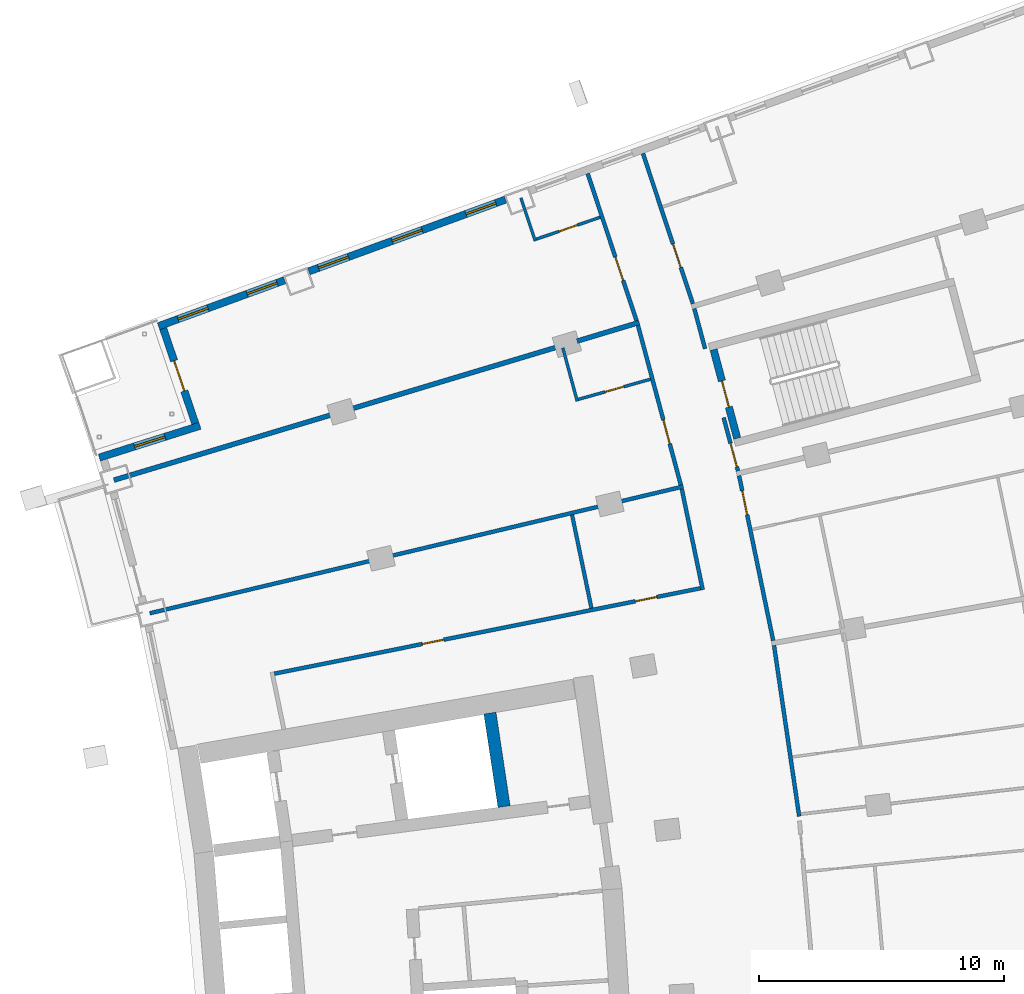
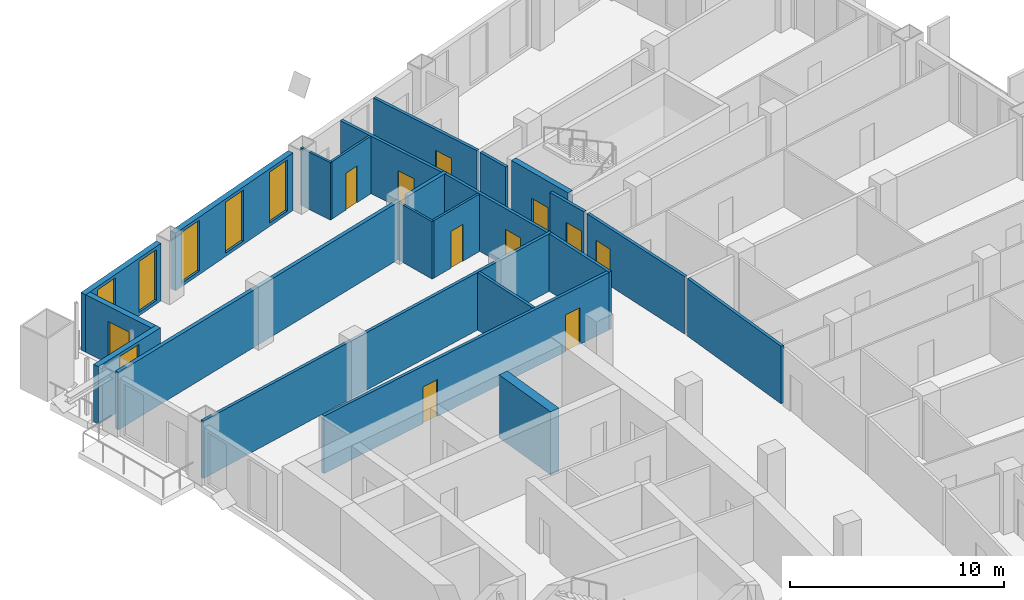
# One storey, part 19 of 25: 23 walls, 11 doors, 6 windows, 17 openings.
"""IFC4 building model written with IfcOpenShell, lengths in metres."""

from ifc_helpers import new_model, si_unit, direction, frame, frame_2d, origin, place, context, subcontext, project, spatial, rectangle, extrude, material, layer, layer_set, type_object, element, fill, save


model = new_model("IFC4")

# Units and contexts
model_context = context("Model", 3, precision=1e-05, world=origin(), true_north=direction((0.0, 1.0)))
body_context = subcontext(model_context, "Body", "Model", "MODEL_VIEW")
ifc_project = project(units=[si_unit("LENGTHUNIT", "METRE"), si_unit("AREAUNIT", "SQUARE_METRE"), si_unit("VOLUMEUNIT", "CUBIC_METRE"), si_unit("PLANEANGLEUNIT", "RADIAN"), si_unit("MASSUNIT", "GRAM", prefix="KILO")], contexts=[model_context])

# Site, building, storey
site_placement = place(None, origin())
site = spatial("IfcSite", under=ifc_project, at=site_placement, CompositionType="ELEMENT")
building_placement = place(site_placement, origin())
building = spatial("IfcBuilding", under=site, at=building_placement, Name="Alderwake Tower", CompositionType="ELEMENT")
storey_placement = place(building_placement, frame((0.0, 0.0, 89.60009765625)))
storey = spatial("IfcBuildingStorey", under=building, at=storey_placement, Name="L21", CompositionType="ELEMENT", Elevation=89.60009765625)

# Wall
ifc_material_1 = material(Name="Concrete C70/85", Category="concrete")
ifc_layer_1 = layer(ifc_material_1, 0.5)
ifc_layer_set_1 = layer_set([ifc_layer_1], Name="Core wall spine 500 C70-85")
wall_type_1 = type_object("IfcWallType", Name="Core wall spine 500 C70-85", PredefinedType="SHEAR", material=ifc_layer_set_1)
wall_1_placement = place(storey_placement, frame((28.34423828125, 75.4228515625, 0.0), z_axis=(0.0, 0.0, 1.0), x_axis=(-0.14943460482, 0.988771611082, 0.0)))
element("IfcWall", 1, at=wall_1_placement, inside=storey, type_object=wall_type_1, Name="Core wall CW.001", PredefinedType="SHEAR", context=body_context, shape_type="SweptSolid", body=[
    extrude(rectangle(XDim=3.8623046875, YDim=0.5, at=frame_2d((1.93115234375, 0.0))), origin(), (0.0, 0.0, 1.0), 3.599853515625),
])

# Wall, opening, door
ifc_material_2 = material(Name="Concrete C70/85", Category="concrete")
ifc_layer_2 = layer(ifc_material_2, 0.300048828125)
ifc_layer_set_2 = layer_set([ifc_layer_2], Name="Core wall stair enclosure 300 C70-85")
wall_type_2 = type_object("IfcWallType", Name="Core wall stair enclosure 300 C70-85", PredefinedType="SHEAR", material=ifc_layer_set_2)
wall_2_placement = place(storey_placement, frame((37.8603515625, 90.452392578125, 0.0), z_axis=(0.0, 0.0, 1.0), x_axis=(-0.257411420208, 0.966301899381, 0.0)))
wall_2 = element("IfcWall", 2, at=wall_2_placement, inside=storey, type_object=wall_type_2, Name="Core wall CW.083", PredefinedType="SHEAR", context=body_context, shape_type="SweptSolid", body=[
    extrude(rectangle(XDim=3.750244140625, YDim=0.300048828125, at=frame_2d((1.875, 0.0))), origin(), (0.0, 0.0, 1.0), 3.599853515625),
])
opening_1_placement = place(wall_2_placement, frame((1.324951171875, 0.0, 0.0)))
opening_1 = element("IfcOpeningElement", 3, at=opening_1_placement, cuts=wall_2, Name="Opening C062", PredefinedType="OPENING", context=body_context, shape_type="SweptSolid", body=[
    extrude(rectangle(XDim=1.10009765625, YDim=2.10009765625, at=frame_2d((0.550048828125, 1.050048828125))), frame((0.0, 0.159912109375, 0.0), z_axis=(0.0, -1.0, 0.0), x_axis=(1.0, 0.0, 0.0)), (0.0, 0.0, 1.0), 0.320068359375),
])
ifc_material_3 = material(Name="Steel-framed fire door leaf", Category="steel")
door_type_1 = type_object("IfcDoorType", Name="Core stair door 1100 fire-rated", OperationType="SINGLE_SWING_LEFT", PredefinedType="DOOR", material=ifc_material_3)
door_1_placement = place(opening_1_placement, origin())
door_1 = element("IfcDoor", 4, at=door_1_placement, inside=storey, type_object=door_type_1, Name="Stair door", OperationType="SINGLE_SWING_LEFT", OverallHeight=2.10009765625, OverallWidth=1.10009765625, PredefinedType="DOOR", context=body_context, shape_type="SweptSolid", body=[
    extrude(rectangle(XDim=1.10009765625, YDim=2.10009765625, at=frame_2d((0.550048828125, 1.050048828125))), frame((0.0, 0.02490234375, 0.0), z_axis=(0.0, -1.0, 0.0), x_axis=(1.0, 0.0, 0.0)), (0.0, 0.0, 1.0), 0.050048828125),
])
fill(opening_1, door_1)

# Wall
ifc_material_4 = material(Name="Gypsum board on metal studs, rated")
ifc_layer_3 = layer(ifc_material_4, 0.159912109375)
ifc_layer_set_3 = layer_set([ifc_layer_3], Name="Corridor wall 160")
wall_type_3 = type_object("IfcWallType", Name="Corridor wall 160", PredefinedType="PARTITIONING", material=ifc_layer_set_3)
wall_3_placement = place(storey_placement, frame((13.884033203125, 83.31298828125, 0.0), z_axis=(0.0, 0.0, 1.0), x_axis=(0.972893462073, 0.231253781493, 0.0)))
element("IfcWall", 5, at=wall_3_placement, inside=storey, type_object=wall_type_3, Name="WL/L21/W16", PredefinedType="PARTITIONING", context=body_context, shape_type="SweptSolid", body=[
    extrude(rectangle(XDim=22.38037109375, YDim=0.159912109375, at=frame_2d((11.190185546875, 0.0))), origin(), (0.0, 0.0, 1.0), 3.27978515625),
])

# Wall, opening, door
wall_4_placement = place(storey_placement, frame((33.75146484375, 95.2548828125, 0.0), z_axis=(0.0, 0.0, 1.0), x_axis=(-0.315406156735, 0.948956772616, 0.0)))
wall_4 = element("IfcWall", 6, at=wall_4_placement, inside=storey, type_object=wall_type_3, Name="WL/L21/W20", PredefinedType="PARTITIONING", context=body_context, shape_type="SweptSolid", body=[
    extrude(rectangle(XDim=6.330078125, YDim=0.159912109375, at=frame_2d((3.1650390625, 0.0))), origin(), (0.0, 0.0, 1.0), 3.27978515625),
])
opening_2_placement = place(wall_4_placement, frame((1.737060546875, 0.0, 0.0)))
opening_2 = element("IfcOpeningElement", 7, at=opening_2_placement, cuts=wall_4, Name="Opening R05-U12.1", PredefinedType="OPENING", context=body_context, shape_type="SweptSolid", body=[
    extrude(rectangle(XDim=1.0, YDim=2.10009765625, at=frame_2d((0.5, 1.050048828125))), frame((0.0, 0.08984375, 0.0), z_axis=(0.0, -1.0, 0.0), x_axis=(1.0, 0.0, 0.0)), (0.0, 0.0, 1.0), 0.179931640625),
])
ifc_material_5 = material(Name="Solid timber leaf in steel frame", Category="steel")
door_type_2 = type_object("IfcDoorType", Name="Flat entrance door 1000 fire-rated", OperationType="SINGLE_SWING_LEFT", PredefinedType="DOOR", material=ifc_material_5)
door_2_placement = place(opening_2_placement, origin())
door_2 = element("IfcDoor", 8, at=door_2_placement, inside=storey, type_object=door_type_2, Name="DR/L21/U12.1", OperationType="SINGLE_SWING_LEFT", OverallHeight=2.10009765625, OverallWidth=1.0, PredefinedType="DOOR", context=body_context, shape_type="SweptSolid", body=[
    extrude(rectangle(XDim=1.0, YDim=2.10009765625, at=frame_2d((0.5, 1.050048828125))), frame((0.0, 0.02490234375, 0.0), z_axis=(0.0, -1.0, 0.0), x_axis=(1.0, 0.0, 0.0)), (0.0, 0.0, 1.0), 0.050048828125),
])
fill(opening_2, door_2)

wall_5_placement = place(storey_placement, frame((35.55908203125, 88.54736328125, 0.0), z_axis=(0.0, 0.0, 1.0), x_axis=(-0.259373900693, 0.965776982351, 0.0)))
wall_5 = element("IfcWall", 9, at=wall_5_placement, inside=storey, type_object=wall_type_3, Name="WL/L21/W23", PredefinedType="PARTITIONING", context=body_context, shape_type="SweptSolid", body=[
    extrude(rectangle(XDim=6.7470703125, YDim=0.159912109375, at=frame_2d((3.37353515625, 0.0))), origin(), (0.0, 0.0, 1.0), 3.27978515625),
])
opening_3_placement = place(wall_5_placement, frame((1.74609375, 0.0, 0.0)))
opening_3 = element("IfcOpeningElement", 10, at=opening_3_placement, cuts=wall_5, Name="Opening R05-U11.1", PredefinedType="OPENING", context=body_context, shape_type="SweptSolid", body=[
    extrude(rectangle(XDim=1.0, YDim=2.10009765625, at=frame_2d((0.5, 1.050048828125))), frame((0.0, 0.08984375, 0.0), z_axis=(0.0, -1.0, 0.0), x_axis=(1.0, 0.0, 0.0)), (0.0, 0.0, 1.0), 0.179931640625),
])
door_3_placement = place(opening_3_placement, origin())
door_3 = element("IfcDoor", 11, at=door_3_placement, inside=storey, type_object=door_type_2, Name="DR/L21/U11.1", OperationType="SINGLE_SWING_LEFT", OverallHeight=2.10009765625, OverallWidth=1.0, PredefinedType="DOOR", context=body_context, shape_type="SweptSolid", body=[
    extrude(rectangle(XDim=1.0, YDim=2.10009765625, at=frame_2d((0.5, 1.050048828125))), frame((0.0, 0.02490234375, 0.0), z_axis=(0.0, -1.0, 0.0), x_axis=(1.0, 0.0, 0.0)), (0.0, 0.0, 1.0), 0.050048828125),
])
fill(opening_3, door_3)

# Wall
wall_6_placement = place(storey_placement, frame((35.59619140625, 88.3916015625, 0.0), z_axis=(0.0, 0.0, 1.0), x_axis=(0.20329833965, -0.979116839348, 0.0)))
element("IfcWall", 12, at=wall_6_placement, inside=storey, type_object=wall_type_3, Name="WL/L21/W25", PredefinedType="PARTITIONING", context=body_context, shape_type="SweptSolid", body=[
    extrude(rectangle(XDim=4.206787109375, YDim=0.159912109375, at=frame_2d((2.103515625, 0.0))), origin(), (0.0, 0.0, 1.0), 3.27978515625),
])

# Wall, opening, door
wall_7_placement = place(storey_placement, frame((34.010986328125, 102.083984375, 0.0), z_axis=(0.0, 0.0, 1.0), x_axis=(0.315140606423, -0.949044992708, 0.0)))
wall_7 = element("IfcWall", 13, at=wall_7_placement, inside=storey, type_object=wall_type_3, Name="WL/L21/W27", PredefinedType="PARTITIONING", context=body_context, shape_type="SweptSolid", body=[
    extrude(rectangle(XDim=6.46875, YDim=0.159912109375, at=frame_2d((3.234375, 0.0))), origin(), (0.0, 0.0, 1.0), 3.27978515625),
])
opening_4_placement = place(wall_7_placement, frame((3.897705078125, 0.0, 0.0)))
opening_4 = element("IfcOpeningElement", 14, at=opening_4_placement, cuts=wall_7, Name="Opening R05-U04.1", PredefinedType="OPENING", context=body_context, shape_type="SweptSolid", body=[
    extrude(rectangle(XDim=1.0, YDim=2.10009765625, at=frame_2d((0.5, 1.050048828125))), frame((0.0, 0.08984375, 0.0), z_axis=(0.0, -1.0, 0.0), x_axis=(1.0, 0.0, 0.0)), (0.0, 0.0, 1.0), 0.179931640625),
])
door_4_placement = place(opening_4_placement, origin())
door_4 = element("IfcDoor", 15, at=door_4_placement, inside=storey, type_object=door_type_2, Name="DR/L21/U04.1", OperationType="SINGLE_SWING_LEFT", OverallHeight=2.10009765625, OverallWidth=1.0, PredefinedType="DOOR", context=body_context, shape_type="SweptSolid", body=[
    extrude(rectangle(XDim=1.0, YDim=2.10009765625, at=frame_2d((0.5, 1.050048828125))), frame((0.0, 0.02490234375, 0.0), z_axis=(0.0, -1.0, 0.0), x_axis=(1.0, 0.0, 0.0)), (0.0, 0.0, 1.0), 0.050048828125),
])
fill(opening_4, door_4)

# Wall, openings, doors
wall_8_placement = place(storey_placement, frame((18.969482421875, 80.84765625, 0.0), z_axis=(0.0, 0.0, 1.0), x_axis=(0.980470914622, 0.196664144112, 0.0)))
wall_8 = element("IfcWall", 16, at=wall_8_placement, inside=storey, type_object=wall_type_3, Name="WL/L21/W29", PredefinedType="PARTITIONING", context=body_context, shape_type="SweptSolid", body=[
    extrude(rectangle(XDim=17.733642578125, YDim=0.159912109375, at=frame_2d((8.86669921875, 0.0))), origin(), (0.0, 0.0, 1.0), 3.27978515625),
])
opening_5_placement = place(wall_8_placement, frame((6.156982421875, 0.0, 0.0)))
opening_5 = element("IfcOpeningElement", 17, at=opening_5_placement, cuts=wall_8, Name="Opening R05-SBN1", PredefinedType="OPENING", context=body_context, shape_type="SweptSolid", body=[
    extrude(rectangle(XDim=0.89990234375, YDim=2.10009765625, at=frame_2d((0.449951171875, 1.050048828125))), frame((0.0, 0.08984375, 0.0), z_axis=(0.0, -1.0, 0.0), x_axis=(1.0, 0.0, 0.0)), (0.0, 0.0, 1.0), 0.179931640625),
])
opening_6_placement = place(wall_8_placement, frame((15.0234375, 0.0, 0.0)))
opening_6 = element("IfcOpeningElement", 18, at=opening_6_placement, cuts=wall_8, Name="Opening R05-SBN2", PredefinedType="OPENING", context=body_context, shape_type="SweptSolid", body=[
    extrude(rectangle(XDim=0.89990234375, YDim=2.10009765625, at=frame_2d((0.449951171875, 1.050048828125))), frame((0.0, 0.08984375, 0.0), z_axis=(0.0, -1.0, 0.0), x_axis=(1.0, 0.0, 0.0)), (0.0, 0.0, 1.0), 0.179931640625),
])
ifc_material_6 = material(Name="Painted timber leaf", Category="wood")
door_type_3 = type_object("IfcDoorType", Name="Room door 900", OperationType="SINGLE_SWING_LEFT", PredefinedType="DOOR", material=ifc_material_6)
door_5_placement = place(opening_5_placement, origin())
door_5 = element("IfcDoor", 19, at=door_5_placement, inside=storey, type_object=door_type_3, Name="DR/L21/SBN1", OperationType="SINGLE_SWING_LEFT", OverallHeight=2.10009765625, OverallWidth=0.89990234375, PredefinedType="DOOR", context=body_context, shape_type="SweptSolid", body=[
    extrude(rectangle(XDim=0.89990234375, YDim=2.10009765625, at=frame_2d((0.449951171875, 1.050048828125))), frame((0.0, 0.02490234375, 0.0), z_axis=(0.0, -1.0, 0.0), x_axis=(1.0, 0.0, 0.0)), (0.0, 0.0, 1.0), 0.050048828125),
])
fill(opening_5, door_5)
door_6_placement = place(opening_6_placement, origin())
door_6 = element("IfcDoor", 20, at=door_6_placement, inside=storey, type_object=door_type_3, Name="DR/L21/SBN2", OperationType="SINGLE_SWING_LEFT", OverallHeight=2.10009765625, OverallWidth=0.89990234375, PredefinedType="DOOR", context=body_context, shape_type="SweptSolid", body=[
    extrude(rectangle(XDim=0.89990234375, YDim=2.10009765625, at=frame_2d((0.449951171875, 1.050048828125))), frame((0.0, 0.02490234375, 0.0), z_axis=(0.0, -1.0, 0.0), x_axis=(1.0, 0.0, 0.0)), (0.0, 0.0, 1.0), 0.050048828125),
])
fill(opening_6, door_6)

# Wall
wall_9_placement = place(storey_placement, frame((36.549072265625, 94.110107421875, 0.0), z_axis=(0.0, 0.0, 1.0), x_axis=(-0.259813977097, 0.965658685719, 0.0)))
element("IfcWall", 21, at=wall_9_placement, inside=storey, type_object=wall_type_3, Name="WL/L21/W30", PredefinedType="PARTITIONING", context=body_context, shape_type="SweptSolid", body=[
    extrude(rectangle(XDim=1.70166015625, YDim=0.159912109375, at=frame_2d((0.850830078125, 0.0))), origin(), (0.0, 0.0, 1.0), 3.27978515625),
])

# Wall, opening, door
wall_10_placement = place(storey_placement, frame((37.304931640625, 91.299072265625, 0.0), z_axis=(0.0, 0.0, 1.0), x_axis=(0.259946294884, -0.965623075416, 0.0)))
wall_10 = element("IfcWall", 22, at=wall_10_placement, inside=storey, type_object=wall_type_3, Name="WL/L21/W33", PredefinedType="PARTITIONING", context=body_context, shape_type="SweptSolid", body=[
    extrude(rectangle(XDim=2.255126953125, YDim=0.159912109375, at=frame_2d((1.12744140625, 0.0))), origin(), (0.0, 0.0, 1.0), 3.27978515625),
])
opening_7_placement = place(wall_10_placement, frame((1.083984375, 0.0, 0.0)))
opening_7 = element("IfcOpeningElement", 23, at=opening_7_placement, cuts=wall_10, Name="Opening R05-U02.1", PredefinedType="OPENING", context=body_context, shape_type="SweptSolid", body=[
    extrude(rectangle(XDim=1.0, YDim=2.10009765625, at=frame_2d((0.5, 1.050048828125))), frame((0.0, 0.08984375, 0.0), z_axis=(0.0, -1.0, 0.0), x_axis=(1.0, 0.0, 0.0)), (0.0, 0.0, 1.0), 0.179931640625),
])
door_7_placement = place(opening_7_placement, origin())
door_7 = element("IfcDoor", 24, at=door_7_placement, inside=storey, type_object=door_type_2, Name="DR/L21/U02.1", OperationType="SINGLE_SWING_LEFT", OverallHeight=2.10009765625, OverallWidth=1.0, PredefinedType="DOOR", context=body_context, shape_type="SweptSolid", body=[
    extrude(rectangle(XDim=1.0, YDim=2.10009765625, at=frame_2d((0.5, 1.050048828125))), frame((0.0, 0.02490234375, 0.0), z_axis=(0.0, -1.0, 0.0), x_axis=(1.0, 0.0, 0.0)), (0.0, 0.0, 1.0), 0.050048828125),
])
fill(opening_7, door_7)

wall_11_placement = place(storey_placement, frame((37.937255859375, 88.927001953125, 0.0), z_axis=(0.0, 0.0, 1.0), x_axis=(0.20241288737, -0.979300272147, 0.0)))
wall_11 = element("IfcWall", 25, at=wall_11_placement, inside=storey, type_object=wall_type_3, Name="WL/L21/W35", PredefinedType="PARTITIONING", context=body_context, shape_type="SweptSolid", body=[
    extrude(rectangle(XDim=6.870361328125, YDim=0.159912109375, at=frame_2d((3.43505859375, 0.0))), origin(), (0.0, 0.0, 1.0), 3.27978515625),
])
opening_8_placement = place(wall_11_placement, frame((0.62841796875, 0.0, 0.0)))
opening_8 = element("IfcOpeningElement", 26, at=opening_8_placement, cuts=wall_11, Name="Opening R05-U08.2", PredefinedType="OPENING", context=body_context, shape_type="SweptSolid", body=[
    extrude(rectangle(XDim=1.0, YDim=2.10009765625, at=frame_2d((0.5, 1.050048828125))), frame((0.0, 0.08984375, 0.0), z_axis=(0.0, -1.0, 0.0), x_axis=(1.0, 0.0, 0.0)), (0.0, 0.0, 1.0), 0.179931640625),
])
door_8_placement = place(opening_8_placement, origin())
door_8 = element("IfcDoor", 27, at=door_8_placement, inside=storey, type_object=door_type_2, Name="DR/L21/U08.2", OperationType="SINGLE_SWING_LEFT", OverallHeight=2.10009765625, OverallWidth=1.0, PredefinedType="DOOR", context=body_context, shape_type="SweptSolid", body=[
    extrude(rectangle(XDim=1.0, YDim=2.10009765625, at=frame_2d((0.5, 1.050048828125))), frame((0.0, 0.02490234375, 0.0), z_axis=(0.0, -1.0, 0.0), x_axis=(1.0, 0.0, 0.0)), (0.0, 0.0, 1.0), 0.050048828125),
])
fill(opening_8, door_8)

# Wall
wall_12_placement = place(storey_placement, frame((40.388671875, 75.02880859375, 0.0), z_axis=(0.0, 0.0, 1.0), x_axis=(-0.145585733575, 0.98934563939, 0.0)))
element("IfcWall", 28, at=wall_12_placement, inside=storey, type_object=wall_type_3, Name="WL/L21/W37", PredefinedType="PARTITIONING", context=body_context, shape_type="SweptSolid", body=[
    extrude(rectangle(XDim=7.04833984375, YDim=0.159912109375, at=frame_2d((3.524169921875, 0.0))), origin(), (0.0, 0.0, 1.0), 3.27978515625),
])

# Wall, openings, windows
ifc_material_7 = material(Name="Bronze metal cladding on lightweight framing")
ifc_layer_4 = layer(ifc_material_7, 0.300048828125)
ifc_layer_set_4 = layer_set([ifc_layer_4], Name="External wall EW2 bronze metal cladding")
wall_type_4 = type_object("IfcWallType", Name="External wall EW2 bronze metal cladding", PredefinedType="SOLIDWALL", material=ifc_layer_set_4)
wall_13_placement = place(storey_placement, frame((28.402587890625, 100.197509765625, 0.0), z_axis=(0.0, 0.0, 1.0), x_axis=(-0.939364770023, -0.342919566137, 0.0)))
wall_13 = element("IfcWall", 29, at=wall_13_placement, inside=storey, type_object=wall_type_4, Name="External wall 28", PredefinedType="SOLIDWALL", context=body_context, shape_type="SweptSolid", body=[
    extrude(rectangle(XDim=8.54541015625, YDim=0.300048828125, at=frame_2d((4.272705078125, 0.0))), origin(), (0.0, 0.0, 1.0), 3.27978515625),
])
opening_9_placement = place(wall_13_placement, frame((0.4228515625, 0.0, 0.199951171875)))
opening_9 = element("IfcOpeningElement", 30, at=opening_9_placement, cuts=wall_13, Name="Opening W1", PredefinedType="OPENING", context=body_context, shape_type="SweptSolid", body=[
    extrude(rectangle(XDim=1.300048828125, YDim=2.89990234375, at=frame_2d((0.64990234375, 1.449951171875))), frame((0.0, 0.159912109375, 0.0), z_axis=(0.0, -1.0, 0.0), x_axis=(1.0, 0.0, 0.0)), (0.0, 0.0, 1.0), 0.320068359375),
])
opening_10_placement = place(wall_13_placement, frame((3.622802734375, 0.0, 0.199951171875)))
opening_10 = element("IfcOpeningElement", 31, at=opening_10_placement, cuts=wall_13, Name="Opening W1", PredefinedType="OPENING", context=body_context, shape_type="SweptSolid", body=[
    extrude(rectangle(XDim=1.300048828125, YDim=2.89990234375, at=frame_2d((0.64990234375, 1.449951171875))), frame((0.0, 0.159912109375, 0.0), z_axis=(0.0, -1.0, 0.0), x_axis=(1.0, 0.0, 0.0)), (0.0, 0.0, 1.0), 0.320068359375),
])
opening_11_placement = place(wall_13_placement, frame((6.822998046875, 0.0, 0.199951171875)))
opening_11 = element("IfcOpeningElement", 32, at=opening_11_placement, cuts=wall_13, Name="Opening W1", PredefinedType="OPENING", context=body_context, shape_type="SweptSolid", body=[
    extrude(rectangle(XDim=1.300048828125, YDim=2.89990234375, at=frame_2d((0.64990234375, 1.449951171875))), frame((0.0, 0.159912109375, 0.0), z_axis=(0.0, -1.0, 0.0), x_axis=(1.0, 0.0, 0.0)), (0.0, 0.0, 1.0), 0.320068359375),
])
ifc_material_8 = material(Name="Bronze tinted glass in aluminium frame", Category="aluminium")
window_type = type_object("IfcWindowType", Name="Window W1 tall fixed and vent", PartitioningType="DOUBLE_PANEL_VERTICAL", PredefinedType="WINDOW", material=ifc_material_8)
window_1_placement = place(opening_9_placement, origin())
window_1 = element("IfcWindow", 33, at=window_1_placement, inside=storey, type_object=window_type, Name="Window W1 tall fixed and vent", OverallHeight=2.89990234375, OverallWidth=1.300048828125, PartitioningType="DOUBLE_PANEL_VERTICAL", PredefinedType="WINDOW", context=body_context, shape_type="SweptSolid", body=[
    extrude(rectangle(XDim=1.300048828125, YDim=2.89990234375, at=frame_2d((0.64990234375, 1.449951171875))), frame((0.0, 0.030029296875, 0.0), z_axis=(0.0, -1.0, 0.0), x_axis=(1.0, 0.0, 0.0)), (0.0, 0.0, 1.0), 0.06005859375),
])
fill(opening_9, window_1)
window_2_placement = place(opening_10_placement, origin())
window_2 = element("IfcWindow", 34, at=window_2_placement, inside=storey, type_object=window_type, Name="Window W1 tall fixed and vent", OverallHeight=2.89990234375, OverallWidth=1.300048828125, PartitioningType="DOUBLE_PANEL_VERTICAL", PredefinedType="WINDOW", context=body_context, shape_type="SweptSolid", body=[
    extrude(rectangle(XDim=1.300048828125, YDim=2.89990234375, at=frame_2d((0.64990234375, 1.449951171875))), frame((0.0, 0.030029296875, 0.0), z_axis=(0.0, -1.0, 0.0), x_axis=(1.0, 0.0, 0.0)), (0.0, 0.0, 1.0), 0.06005859375),
])
fill(opening_10, window_2)
window_3_placement = place(opening_11_placement, origin())
window_3 = element("IfcWindow", 35, at=window_3_placement, inside=storey, type_object=window_type, Name="Window W1 tall fixed and vent", OverallHeight=2.89990234375, OverallWidth=1.300048828125, PartitioningType="DOUBLE_PANEL_VERTICAL", PredefinedType="WINDOW", context=body_context, shape_type="SweptSolid", body=[
    extrude(rectangle(XDim=1.300048828125, YDim=2.89990234375, at=frame_2d((0.64990234375, 1.449951171875))), frame((0.0, 0.030029296875, 0.0), z_axis=(0.0, -1.0, 0.0), x_axis=(1.0, 0.0, 0.0)), (0.0, 0.0, 1.0), 0.06005859375),
])
fill(opening_11, window_3)

wall_14_placement = place(storey_placement, frame((19.38427734375, 96.905517578125, 0.0), z_axis=(0.0, 0.0, 1.0), x_axis=(-0.939366897407, -0.342913738506, 0.0)))
wall_14 = element("IfcWall", 36, at=wall_14_placement, inside=storey, type_object=wall_type_4, Name="External wall 29", PredefinedType="SOLIDWALL", context=body_context, shape_type="SweptSolid", body=[
    extrude(rectangle(XDim=5.474365234375, YDim=0.300048828125, at=frame_2d((2.7373046875, 0.0))), origin(), (0.0, 0.0, 1.0), 3.27978515625),
])
opening_12_placement = place(wall_14_placement, frame((0.322998046875, 0.0, 0.199951171875)))
opening_12 = element("IfcOpeningElement", 37, at=opening_12_placement, cuts=wall_14, Name="Opening W1", PredefinedType="OPENING", context=body_context, shape_type="SweptSolid", body=[
    extrude(rectangle(XDim=1.300048828125, YDim=2.89990234375, at=frame_2d((0.64990234375, 1.449951171875))), frame((0.0, 0.159912109375, 0.0), z_axis=(0.0, -1.0, 0.0), x_axis=(1.0, 0.0, 0.0)), (0.0, 0.0, 1.0), 0.320068359375),
])
opening_13_placement = place(wall_14_placement, frame((3.32373046875, 0.0, 0.199951171875)))
opening_13 = element("IfcOpeningElement", 38, at=opening_13_placement, cuts=wall_14, Name="Opening W1", PredefinedType="OPENING", context=body_context, shape_type="SweptSolid", body=[
    extrude(rectangle(XDim=1.300048828125, YDim=2.89990234375, at=frame_2d((0.64990234375, 1.449951171875))), frame((0.0, 0.159912109375, 0.0), z_axis=(0.0, -1.0, 0.0), x_axis=(1.0, 0.0, 0.0)), (0.0, 0.0, 1.0), 0.320068359375),
])
window_4_placement = place(opening_12_placement, origin())
window_4 = element("IfcWindow", 39, at=window_4_placement, inside=storey, type_object=window_type, Name="Window W1 tall fixed and vent", OverallHeight=2.89990234375, OverallWidth=1.300048828125, PartitioningType="DOUBLE_PANEL_VERTICAL", PredefinedType="WINDOW", context=body_context, shape_type="SweptSolid", body=[
    extrude(rectangle(XDim=1.300048828125, YDim=2.89990234375, at=frame_2d((0.64990234375, 1.449951171875))), frame((0.0, 0.030029296875, 0.0), z_axis=(0.0, -1.0, 0.0), x_axis=(1.0, 0.0, 0.0)), (0.0, 0.0, 1.0), 0.06005859375),
])
fill(opening_12, window_4)
window_5_placement = place(opening_13_placement, origin())
window_5 = element("IfcWindow", 40, at=window_5_placement, inside=storey, type_object=window_type, Name="Window W1 tall fixed and vent", OverallHeight=2.89990234375, OverallWidth=1.300048828125, PartitioningType="DOUBLE_PANEL_VERTICAL", PredefinedType="WINDOW", context=body_context, shape_type="SweptSolid", body=[
    extrude(rectangle(XDim=1.300048828125, YDim=2.89990234375, at=frame_2d((0.64990234375, 1.449951171875))), frame((0.0, 0.030029296875, 0.0), z_axis=(0.0, -1.0, 0.0), x_axis=(1.0, 0.0, 0.0)), (0.0, 0.0, 1.0), 0.06005859375),
])
fill(opening_13, window_5)

# Wall, opening, door
wall_15_placement = place(storey_placement, frame((14.430908203125, 94.937744140625, 0.0), z_axis=(0.0, 0.0, 1.0), x_axis=(0.320379458656, -0.947289291859, 0.0)))
wall_15 = element("IfcWall", 41, at=wall_15_placement, inside=storey, type_object=wall_type_4, Name="External wall 30", PredefinedType="SOLIDWALL", context=body_context, shape_type="SweptSolid", body=[
    extrude(rectangle(XDim=4.08984375, YDim=0.300048828125, at=frame_2d((2.044921875, 0.0))), origin(), (0.0, 0.0, 1.0), 3.27978515625),
])
opening_14_placement = place(wall_15_placement, frame((1.39501953125, 0.0, 0.0)))
opening_14 = element("IfcOpeningElement", 42, at=opening_14_placement, cuts=wall_15, Name="Opening D13", PredefinedType="OPENING", context=body_context, shape_type="SweptSolid", body=[
    extrude(rectangle(XDim=1.300048828125, YDim=2.39990234375, at=frame_2d((0.64990234375, 1.199951171875))), frame((0.0, 0.159912109375, 0.0), z_axis=(0.0, -1.0, 0.0), x_axis=(1.0, 0.0, 0.0)), (0.0, 0.0, 1.0), 0.320068359375),
])
ifc_material_9 = material(Name="Bronze tinted glass in aluminium frame", Category="aluminium")
door_type_4 = type_object("IfcDoorType", Name="Balcony door BD sliding", OperationType="SLIDING_TO_LEFT", PredefinedType="DOOR", material=ifc_material_9)
door_9_placement = place(opening_14_placement, origin())
door_9 = element("IfcDoor", 43, at=door_9_placement, inside=storey, type_object=door_type_4, Name="Door D13", OperationType="SLIDING_TO_LEFT", OverallHeight=2.39990234375, OverallWidth=1.300048828125, PredefinedType="DOOR", context=body_context, shape_type="SweptSolid", body=[
    extrude(rectangle(XDim=1.300048828125, YDim=2.39990234375, at=frame_2d((0.64990234375, 1.199951171875))), frame((0.0, 0.02490234375, 0.0), z_axis=(0.0, -1.0, 0.0), x_axis=(1.0, 0.0, 0.0)), (0.0, 0.0, 1.0), 0.050048828125),
])
fill(opening_14, door_9)

# Wall, opening, window
wall_16_placement = place(storey_placement, frame((15.932373046875, 90.966552734375, 0.0), z_axis=(0.0, 0.0, 1.0), x_axis=(-0.953473772386, -0.301475978103, 0.0)))
wall_16 = element("IfcWall", 44, at=wall_16_placement, inside=storey, type_object=wall_type_4, Name="External wall 31", PredefinedType="SOLIDWALL", context=body_context, shape_type="SweptSolid", body=[
    extrude(rectangle(XDim=4.305908203125, YDim=0.300048828125, at=frame_2d((2.15283203125, 0.0))), origin(), (0.0, 0.0, 1.0), 3.27978515625),
])
opening_15_placement = place(wall_16_placement, frame((1.5029296875, 0.0, 0.199951171875)))
opening_15 = element("IfcOpeningElement", 45, at=opening_15_placement, cuts=wall_16, Name="Opening W1", PredefinedType="OPENING", context=body_context, shape_type="SweptSolid", body=[
    extrude(rectangle(XDim=1.300048828125, YDim=2.89990234375, at=frame_2d((0.64990234375, 1.449951171875))), frame((0.0, 0.159912109375, 0.0), z_axis=(0.0, -1.0, 0.0), x_axis=(1.0, 0.0, 0.0)), (0.0, 0.0, 1.0), 0.320068359375),
])
window_6_placement = place(opening_15_placement, origin())
window_6 = element("IfcWindow", 46, at=window_6_placement, inside=storey, type_object=window_type, Name="Window W1 tall fixed and vent", OverallHeight=2.89990234375, OverallWidth=1.300048828125, PartitioningType="DOUBLE_PANEL_VERTICAL", PredefinedType="WINDOW", context=body_context, shape_type="SweptSolid", body=[
    extrude(rectangle(XDim=1.300048828125, YDim=2.89990234375, at=frame_2d((0.64990234375, 1.449951171875))), frame((0.0, 0.030029296875, 0.0), z_axis=(0.0, -1.0, 0.0), x_axis=(1.0, 0.0, 0.0)), (0.0, 0.0, 1.0), 0.06005859375),
])
fill(opening_15, window_6)

# Walls
ifc_material_10 = material(Name="Dense block masonry wall", Category="masonry")
ifc_layer_5 = layer(ifc_material_10, 0.199951171875)
ifc_layer_set_5 = layer_set([ifc_layer_5], Name="Party wall 200")
wall_type_5 = type_object("IfcWallType", Name="Party wall 200", PredefinedType="SOLIDWALL", material=ifc_layer_set_5)
wall_17_placement = place(storey_placement, frame((30.812744140625, 94.270751953125, 0.0), z_axis=(0.0, 0.0, 1.0), x_axis=(-0.957756965565, -0.287578849904, 0.0)))
element("IfcWall", 47, at=wall_17_placement, inside=storey, type_object=wall_type_5, Name="WL/L21/W01", PredefinedType="SOLIDWALL", context=body_context, shape_type="SweptSolid", body=[
    extrude(rectangle(XDim=19.20068359375, YDim=0.199951171875, at=frame_2d((9.600341796875, 0.0))), origin(), (0.0, 0.0, 1.0), 3.27978515625),
])
wall_18_placement = place(storey_placement, frame((33.859619140625, 95.18310546875, 0.0), z_axis=(0.0, 0.0, 1.0), x_axis=(-0.957762803886, -0.287559405153, 0.0)))
element("IfcWall", 48, at=wall_18_placement, inside=storey, type_object=wall_type_5, Name="WL/L21/W04", PredefinedType="SOLIDWALL", context=body_context, shape_type="SweptSolid", body=[
    extrude(rectangle(XDim=2.647216796875, YDim=0.199951171875, at=frame_2d((1.32373046875, 0.0))), origin(), (0.0, 0.0, 1.0), 3.27978515625),
])
ifc_material_11 = material(Name="Gypsum shaft wall system, rated")
ifc_layer_6 = layer(ifc_material_11, 0.14990234375)
ifc_layer_set_6 = layer_set([ifc_layer_6], Name="Riser and shaft wall 150")
wall_type_6 = type_object("IfcWallType", Name="Riser and shaft wall 150", PredefinedType="PARTITIONING", material=ifc_layer_set_6)
wall_19_placement = place(storey_placement, frame((31.90966796875, 83.523193359375, 0.0), z_axis=(0.0, 0.0, 1.0), x_axis=(-0.203193719272, 0.979138556308, 0.0)))
element("IfcWall", 49, at=wall_19_placement, inside=storey, type_object=wall_type_6, Name="WL/L21/W12", PredefinedType="PARTITIONING", context=body_context, shape_type="SweptSolid", body=[
    extrude(rectangle(XDim=3.884521484375, YDim=0.14990234375, at=frame_2d((1.9423828125, 0.0))), origin(), (0.0, 0.0, 1.0), 3.27978515625),
])
ifc_material_12 = material(Name="Moisture resistant gypsum board on metal studs")
ifc_layer_7 = layer(ifc_material_12, 0.1201171875)
ifc_layer_set_7 = layer_set([ifc_layer_7], Name="Wet room partition 120")
wall_type_7 = type_object("IfcWallType", Name="Wet room partition 120", PredefinedType="PARTITIONING", material=ifc_layer_set_7)
wall_20_placement = place(storey_placement, frame((29.031005859375, 100.26611328125, 0.0), z_axis=(0.0, 0.0, 1.0), x_axis=(0.315714683416, -0.948854171449, 0.0)))
element("IfcWall", 50, at=wall_20_placement, inside=storey, type_object=wall_type_7, Name="WL/L21/W43", PredefinedType="PARTITIONING", context=body_context, shape_type="SweptSolid", body=[
    extrude(rectangle(XDim=1.85595703125, YDim=0.1201171875, at=frame_2d((0.927978515625, 0.0))), origin(), (0.0, 0.0, 1.0), 3.27978515625),
])

# Wall, opening, door
wall_21_placement = place(storey_placement, frame((29.65478515625, 98.581298828125, 0.0), z_axis=(0.0, 0.0, 1.0), x_axis=(0.946049080569, 0.324023358964, 0.0)))
wall_21 = element("IfcWall", 51, at=wall_21_placement, inside=storey, type_object=wall_type_7, Name="WL/L21/W45", PredefinedType="PARTITIONING", context=body_context, shape_type="SweptSolid", body=[
    extrude(rectangle(XDim=2.758544921875, YDim=0.1201171875, at=frame_2d((1.37939453125, 0.0))), origin(), (0.0, 0.0, 1.0), 3.27978515625),
])
opening_16_placement = place(wall_21_placement, frame((0.979248046875, 0.0, 0.0)))
opening_16 = element("IfcOpeningElement", 52, at=opening_16_placement, cuts=wall_21, Name="Opening R05-U12.2", PredefinedType="OPENING", context=body_context, shape_type="SweptSolid", body=[
    extrude(rectangle(XDim=0.800048828125, YDim=2.10009765625, at=frame_2d((0.39990234375, 1.050048828125))), frame((0.0, 0.070068359375, 0.0), z_axis=(0.0, -1.0, 0.0), x_axis=(1.0, 0.0, 0.0)), (0.0, 0.0, 1.0), 0.14013671875),
])
ifc_material_13 = material(Name="Painted timber leaf", Category="wood")
door_type_5 = type_object("IfcDoorType", Name="Bathroom door 800", OperationType="SINGLE_SWING_LEFT", PredefinedType="DOOR", material=ifc_material_13)
door_10_placement = place(opening_16_placement, origin())
door_10 = element("IfcDoor", 53, at=door_10_placement, inside=storey, type_object=door_type_5, Name="DR/L21/U12.2", OperationType="SINGLE_SWING_LEFT", OverallHeight=2.10009765625, OverallWidth=0.800048828125, PredefinedType="DOOR", context=body_context, shape_type="SweptSolid", body=[
    extrude(rectangle(XDim=0.800048828125, YDim=2.10009765625, at=frame_2d((0.39990234375, 1.050048828125))), frame((0.0, 0.02490234375, 0.0), z_axis=(0.0, -1.0, 0.0), x_axis=(1.0, 0.0, 0.0)), (0.0, 0.0, 1.0), 0.050048828125),
])
fill(opening_16, door_10)

# Wall
wall_22_placement = place(storey_placement, frame((30.742919921875, 94.1455078125, 0.0), z_axis=(0.0, 0.0, 1.0), x_axis=(0.260393144933, -0.965502672224, 0.0)))
element("IfcWall", 54, at=wall_22_placement, inside=storey, type_object=wall_type_7, Name="WL/L21/W46", PredefinedType="PARTITIONING", context=body_context, shape_type="SweptSolid", body=[
    extrude(rectangle(XDim=2.2529296875, YDim=0.1201171875, at=frame_2d((1.12646484375, 0.0))), origin(), (0.0, 0.0, 1.0), 3.27978515625),
])

# Wall, opening, door
wall_23_placement = place(storey_placement, frame((31.371826171875, 92.044189453125, 0.0), z_axis=(0.0, 0.0, 1.0), x_axis=(0.963351881246, 0.268240848677, 0.0)))
wall_23 = element("IfcWall", 55, at=wall_23_placement, inside=storey, type_object=wall_type_7, Name="WL/L21/W47", PredefinedType="PARTITIONING", context=body_context, shape_type="SweptSolid", body=[
    extrude(rectangle(XDim=3.05810546875, YDim=0.1201171875, at=frame_2d((1.529052734375, 0.0))), origin(), (0.0, 0.0, 1.0), 3.27978515625),
])
opening_17_placement = place(wall_23_placement, frame((1.129150390625, 0.0, 0.0)))
opening_17 = element("IfcOpeningElement", 56, at=opening_17_placement, cuts=wall_23, Name="Opening R05-U11.2", PredefinedType="OPENING", context=body_context, shape_type="SweptSolid", body=[
    extrude(rectangle(XDim=0.800048828125, YDim=2.10009765625, at=frame_2d((0.39990234375, 1.050048828125))), frame((0.0, 0.070068359375, 0.0), z_axis=(0.0, -1.0, 0.0), x_axis=(1.0, 0.0, 0.0)), (0.0, 0.0, 1.0), 0.14013671875),
])
door_11_placement = place(opening_17_placement, origin())
door_11 = element("IfcDoor", 57, at=door_11_placement, inside=storey, type_object=door_type_5, Name="DR/L21/U11.2", OperationType="SINGLE_SWING_LEFT", OverallHeight=2.10009765625, OverallWidth=0.800048828125, PredefinedType="DOOR", context=body_context, shape_type="SweptSolid", body=[
    extrude(rectangle(XDim=0.800048828125, YDim=2.10009765625, at=frame_2d((0.39990234375, 1.050048828125))), frame((0.0, 0.02490234375, 0.0), z_axis=(0.0, -1.0, 0.0), x_axis=(1.0, 0.0, 0.0)), (0.0, 0.0, 1.0), 0.050048828125),
])
fill(opening_17, door_11)

save(model, "model.ifc")
